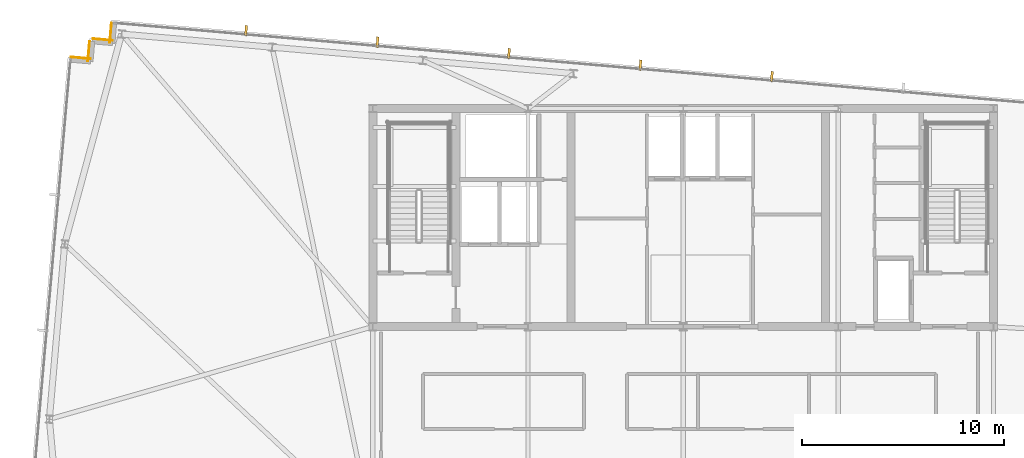
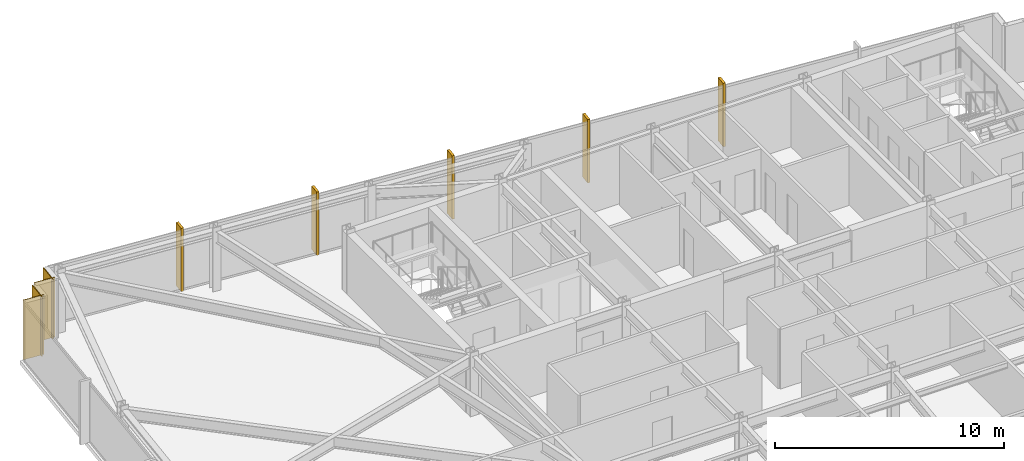
# One storey, part 32 of 32: 5 shading devices, 4 coverings.
"""IFC4 building model written with IfcOpenShell, lengths in metres."""

import ifcopenshell
import ifcopenshell.guid

model = None  # the IFC model being written
_history = None  # IfcOwnerHistory: only IFC2X3 demands one
_inside = {}  # id of a spatial element -> (the spatial element, [elements in it])
_under = {}  # id of a project, library or spatial element -> (it, [spatial elements below it])
_declared = {}  # id of a project -> (the project, [libraries it declares])
_typed = {}  # id of a type object -> (the type object, [elements of that type])
_made_of = {}  # id of a material, layer set ... -> (it, [elements and type objects made of it])


def new_model(schema):
    """Start an empty IFC model of exactly this schema.

    Asked for "IFC4X3", IfcOpenShell would pick the latest addendum, in which some entities
    have other attributes; the version numbers below select the first issue.
    IFC2X3 requires an IfcOwnerHistory on every rooted entity: one is made here for all.
    """
    global model, _history
    if schema == "IFC4X3":
        model = ifcopenshell.file(schema_version=(4, 3, 0, 0))
    else:
        model = ifcopenshell.file(schema=schema)
    _inside.clear()
    _under.clear()
    _declared.clear()
    _typed.clear()
    _made_of.clear()
    _history = None
    if model.schema == "IFC2X3":
        org = make("IfcOrganization", Name="unknown")
        user = make(
            "IfcPersonAndOrganization",
            ThePerson=make("IfcPerson", FamilyName="unknown"),
            TheOrganization=org,
        )
        app = make(
            "IfcApplication",
            ApplicationDeveloper=org,
            Version="unknown",
            ApplicationFullName="unknown",
            ApplicationIdentifier="unknown",
        )
        _history = make(
            "IfcOwnerHistory",
            OwningUser=user,
            OwningApplication=app,
            ChangeAction="ADDED",
            CreationDate=0,
        )
    return model


def make(cls, **values):
    """One entity of the class cls with the attributes given. An attribute that is None is left unset."""
    return model.create_entity(
        cls, **{name: value for name, value in values.items() if value is not None}
    )


def rooted(cls, **values):
    """An entity with a GlobalId (a new one), such as an element, a storey or a relation."""
    return make(cls, GlobalId=ifcopenshell.guid.new(), OwnerHistory=_history, **values)


def si_unit(unit_type, name, prefix=None):
    """IfcSIUnit, for example si_unit("LENGTHUNIT", "METRE", prefix="MILLI")."""
    return make("IfcSIUnit", UnitType=unit_type, Prefix=prefix, Name=name)


def assignment(units):
    """IfcUnitAssignment: the units of a project."""
    return None if units is None else make("IfcUnitAssignment", Units=units)


def point(xyz):
    """IfcCartesianPoint."""
    return None if xyz is None else make("IfcCartesianPoint", Coordinates=xyz)


def direction(xyz):
    """IfcDirection."""
    return None if xyz is None else make("IfcDirection", DirectionRatios=xyz)


def frame(location, z_axis=None, x_axis=None):
    """IfcAxis2Placement3D, a coordinate frame: its origin and axes. An axis left out is left unset."""
    return make(
        "IfcAxis2Placement3D",
        Location=point(location),
        Axis=direction(z_axis),
        RefDirection=direction(x_axis),
    )


def frame_2d(location, x_axis=None):
    """IfcAxis2Placement2D, a coordinate frame in the plane: its origin and x axis."""
    return make(
        "IfcAxis2Placement2D", Location=point(location), RefDirection=direction(x_axis)
    )


def origin():
    """The frame at (0, 0, 0) with its axes left unset."""
    return frame((0.0, 0.0, 0.0))


def origin_2d():
    """The frame at (0, 0) in the plane with its x axis left unset."""
    return frame_2d((0.0, 0.0))


def place(relative_to, where):
    """IfcLocalPlacement: puts the frame where relative to a parent placement (None: the world)."""
    return make(
        "IfcLocalPlacement", PlacementRelTo=relative_to, RelativePlacement=where
    )


def context(
    kind, dimensions, precision=None, world=None, true_north=None, identifier=None
):
    """IfcGeometricRepresentationContext, for example the 3D "Model" context."""
    return make(
        "IfcGeometricRepresentationContext",
        ContextIdentifier=identifier,
        ContextType=kind,
        CoordinateSpaceDimension=dimensions,
        Precision=precision,
        WorldCoordinateSystem=world,
        TrueNorth=true_north,
    )


def subcontext(parent, identifier, kind, view, scale=None):
    """IfcGeometricRepresentationSubContext, for example "Body" below "Model"."""
    return make(
        "IfcGeometricRepresentationSubContext",
        ContextIdentifier=identifier,
        ContextType=kind,
        ParentContext=parent,
        TargetScale=scale,
        TargetView=view,
    )


def project(units=None, contexts=None):
    """IfcProject with its units and contexts."""
    return rooted(
        "IfcProject",
        Name="project",
        RepresentationContexts=contexts,
        UnitsInContext=assignment(units),
    )


def spatial(cls, under=None, at=None, **own):
    """A site, building, storey or space (cls), placed at a placement, below another one or the project."""
    s = rooted(cls, ObjectPlacement=at, **own)
    if under is not None:
        _under.setdefault(under.id(), (under, []))[1].append(s)
    return s


def profile(cls, at=None, kind="AREA", **sizes):
    """A parametric profile (cls). Its sizes go by their IFC names, for example OverallWidth=200.0."""
    return make(cls, ProfileType=kind, Position=at, **sizes)


def rectangle(**sizes):
    """IfcRectangleProfileDef."""
    return profile("IfcRectangleProfileDef", **sizes)


def extrude(swept, where, along, depth):
    """IfcExtrudedAreaSolid: the profile swept, set in the frame where, extruded along a direction by depth."""
    return make(
        "IfcExtrudedAreaSolid",
        SweptArea=swept,
        Position=where,
        ExtrudedDirection=direction(along),
        Depth=depth,
    )


def shape(context_of_items, identifier, shape_type, items):
    """IfcShapeRepresentation: the items that make up one representation, for example the "Body"."""
    return make(
        "IfcShapeRepresentation",
        ContextOfItems=context_of_items,
        RepresentationIdentifier=identifier,
        RepresentationType=shape_type,
        Items=items,
    )


def material(Name=None, Category=None):
    """IfcMaterial."""
    return make("IfcMaterial", Name=Name, Category=Category)


def layer(
    of_material, thickness, ventilated=None, Name=None, Category=None, Priority=None
):
    """IfcMaterialLayer: one layer of a wall or slab, of a material (None: an air gap)."""
    return make(
        "IfcMaterialLayer",
        Material=of_material,
        LayerThickness=thickness,
        IsVentilated=ventilated,
        Name=Name,
        Category=Category,
        Priority=Priority,
    )


def layer_set(layers, Name=None):
    """IfcMaterialLayerSet."""
    return make("IfcMaterialLayerSet", MaterialLayers=layers, LayerSetName=Name)


def made_of(thing, what):
    """Note that an element or type object is made of a material, layer set ...; save() writes the relation."""
    if what is not None:
        _made_of.setdefault(what.id(), (what, []))[1].append(thing)
    return thing


def type_object(cls, material=None, **own):
    """A type object (cls), such as IfcWallType, which elements share."""
    return made_of(rooted(cls, **own), material)


def element(
    cls,
    number,
    at=None,
    inside=None,
    cuts=None,
    type_object=None,
    material=None,
    context=None,
    identifier="Body",
    shape_type=None,
    held_by="IfcProductDefinitionShape",
    body=None,
    shapes=None,
    **own,
):
    """One element of the class cls, such as IfcWall. Its Tag is "e" and its number.

    at: its placement. inside: the storey or other place that contains it. cuts: it is an
    opening in that element (IfcRelVoidsElement). A single representation is given by context,
    identifier, shape_type and body (its items); several are given by shapes. held_by: the class
    of the entity that holds the representations. save() writes the other relations.
    """
    e = rooted(cls, Tag="e%d" % number, ObjectPlacement=at, **own)
    if body is not None:
        shapes = [shape(context, identifier, shape_type, body)]
    if shapes is not None:
        e.Representation = make(held_by, Representations=shapes)
    if inside is not None:
        _inside.setdefault(inside.id(), (inside, []))[1].append(e)
    if cuts is not None:
        rooted(
            "IfcRelVoidsElement", RelatingBuildingElement=cuts, RelatedOpeningElement=e
        )
    if type_object is not None:
        _typed.setdefault(type_object.id(), (type_object, []))[1].append(e)
    return made_of(e, material)


def aggregate(whole, parts):
    """IfcRelAggregates: a whole, such as a stair, and the parts it consists of."""
    return rooted("IfcRelAggregates", RelatingObject=whole, RelatedObjects=parts)


def save(model, path):
    """Write the relations noted so far, then the file.

    IfcRelAggregates (storeys below a building ...), IfcRelContainedInSpatialStructure (elements
    in a storey), IfcRelDefinesByType, IfcRelAssociatesMaterial and IfcRelDeclares: one each for
    every whole, place, type object, material and project.
    """
    for whole, parts in _under.values():
        aggregate(whole, parts)
    for where, things in _inside.values():
        rooted(
            "IfcRelContainedInSpatialStructure",
            RelatedElements=things,
            RelatingStructure=where,
        )
    for kind, things in _typed.values():
        rooted("IfcRelDefinesByType", RelatedObjects=things, RelatingType=kind)
    for what, things in _made_of.values():
        rooted("IfcRelAssociatesMaterial", RelatedObjects=things, RelatingMaterial=what)
    for by, libraries in _declared.values():
        rooted("IfcRelDeclares", RelatingContext=by, RelatedDefinitions=libraries)
    model.write(path)


model = new_model("IFC4")

# Units and contexts
model_context = context("Model", 3, precision=1e-05, world=origin(), true_north=direction((0.0, 1.0)))
body_context = subcontext(model_context, "Body", "Model", "MODEL_VIEW")
ifc_project = project(units=[si_unit("LENGTHUNIT", "METRE"), si_unit("AREAUNIT", "SQUARE_METRE"), si_unit("VOLUMEUNIT", "CUBIC_METRE"), si_unit("PLANEANGLEUNIT", "RADIAN"), si_unit("MASSUNIT", "GRAM", prefix="KILO")], contexts=[model_context])

# Site, building, storey
site_placement = place(None, origin())
site = spatial("IfcSite", under=ifc_project, at=site_placement, CompositionType="ELEMENT")
building_placement = place(site_placement, origin())
building = spatial("IfcBuilding", under=site, at=building_placement, Name="Yelkora Congress Tower", CompositionType="ELEMENT")
storey_placement = place(building_placement, frame((0.0, 0.0, 265.89990234375)))
storey = spatial("IfcBuildingStorey", under=building, at=storey_placement, Name="L74", CompositionType="ELEMENT", Elevation=265.89990234375)

# Coverings
ifc_material_1 = material(Name="Anatolian bush-hammered limestone", Category="masonry")
ifc_layer_1 = layer(ifc_material_1, 0.0400390625)
ifc_layer_set_1 = layer_set([ifc_layer_1], Name="Anatolian bush-hammered limestone")
covering_type = type_object("IfcCoveringType", Name="COV-CLAD-SPANDREL-40", PredefinedType="CLADDING", material=ifc_layer_set_1)
for number, where, z_axis, x_axis, name in (
    (1, (8.0849609375, 48.744140625, 0.0), (0.0, 0.0, 1.0), (0.996195572005, -0.087145753297, 0.0), "L74 Anatolian Limestone Cladding EW-L74-SR06"),
    (2, (8.93505859375, 48.5341796875, 0.0), (0.0, 0.0, 1.0), (0.087145753297, 0.996195572005, 0.0), "L74 Anatolian Limestone Cladding EW-L74-SR07"),
):
    element("IfcCovering", number, at=place(storey_placement, frame(where, z_axis=z_axis, x_axis=x_axis)), inside=storey, type_object=covering_type, Name=name, PredefinedType="CLADDING", context=body_context, shape_type="SweptSolid", body=[
        extrude(rectangle(XDim=1.000244140625, YDim=0.0400390625, at=frame_2d((0.5, 0.0))), origin(), (0.0, 0.0, 1.0), 3.18017578125),
    ])
covering_1_placement = place(storey_placement, frame((9.16845703125, 49.6533203125, 0.0), z_axis=(0.0, 0.0, 1.0), x_axis=(0.996193717496, -0.087166950281, 0.0)))
element("IfcCovering", 3, at=covering_1_placement, inside=storey, type_object=covering_type, Name="L74 Anatolian Limestone Cladding EW-L74-SR08", PredefinedType="CLADDING", context=body_context, shape_type="SweptSolid", body=[
    extrude(rectangle(XDim=1.0, YDim=0.0400390625, at=frame_2d((0.5, 0.0))), origin(), (0.0, 0.0, 1.0), 3.18017578125),
])
covering_2_placement = place(storey_placement, frame((10.018310546875, 49.443359375, 0.0), z_axis=(0.0, 0.0, 1.0), x_axis=(0.087145753297, 0.996195572005, 0.0)))
element("IfcCovering", 4, at=covering_2_placement, inside=storey, type_object=covering_type, Name="L74 Anatolian Limestone Cladding EW-L74-SR09", PredefinedType="CLADDING", context=body_context, shape_type="SweptSolid", body=[
    extrude(rectangle(XDim=1.000244140625, YDim=0.0400390625, at=frame_2d((0.5, 0.0))), origin(), (0.0, 0.0, 1.0), 3.18017578125),
])

# Shading devices
ifc_material_2 = material(Name="Champagne anodised aluminium", Category="aluminium")
ifc_layer_2 = layer(ifc_material_2, 3.300048828125)
ifc_layer_set_2 = layer_set([ifc_layer_2], Name="Champagne anodised aluminium")
shading_device_type = type_object("IfcShadingDeviceType", Name="SHD-FIN-ALU-520", PredefinedType="USERDEFINED", material=ifc_layer_set_2)
for number, where, z_axis, x_axis, name in (
    (5, (16.763916015625, 50.057861328125, -0.02978515625), (0.0, 0.0, 1.0), (0.996194698092, -0.087155742748, 0.0), "L74 Vertical Anodised Solar Fin 10-1"),
    (6, (23.2705078125, 49.488525390625, -0.02978515625), (0.0, 0.0, 1.0), (0.996194698092, -0.087155742748, 0.0), "L74 Vertical Anodised Solar Fin 10-2"),
    (7, (29.777099609375, 48.919189453125, -0.02978515625), (0.0, 0.0, 1.0), (0.996194698092, -0.087155742748, 0.0), "L74 Vertical Anodised Solar Fin 10-3"),
    (8, (36.28369140625, 48.35009765625, -0.02978515625), (0.0, 0.0, 1.0), (0.996194698092, -0.087155742748, 0.0), "L74 Vertical Anodised Solar Fin 10-4"),
    (9, (42.790283203125, 47.78076171875, -0.02978515625), (0.0, 0.0, 1.0), (0.996194698092, -0.087155742748, 0.0), "L74 Vertical Anodised Solar Fin 10-5"),
):
    element("IfcShadingDevice", number, at=place(storey_placement, frame(where, z_axis=z_axis, x_axis=x_axis)), inside=storey, type_object=shading_device_type, Name=name, ObjectType="FIN", PredefinedType="USERDEFINED", context=body_context, shape_type="SweptSolid", body=[
        extrude(rectangle(XDim=0.1201171875, YDim=0.52001953125, at=origin_2d()), origin(), (0.0, 0.0, 1.0), 3.3798828125),
    ])

save(model, "model.ifc")
